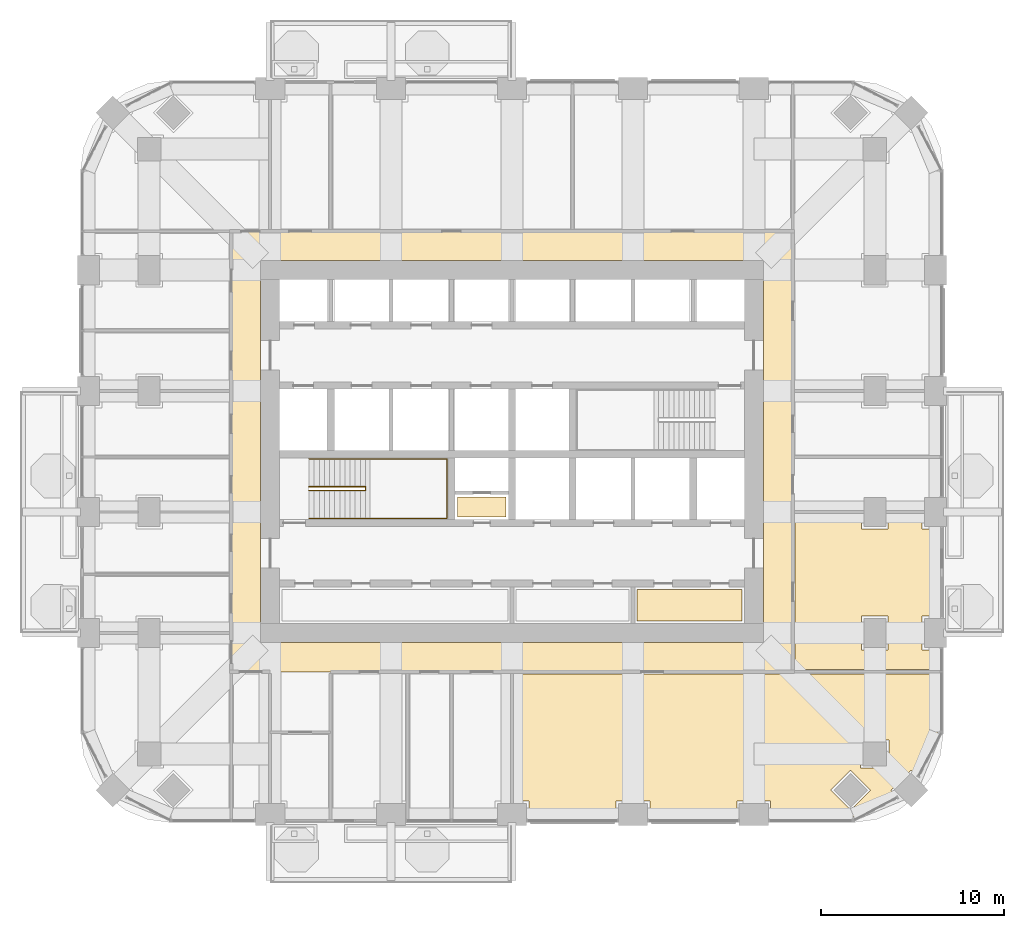
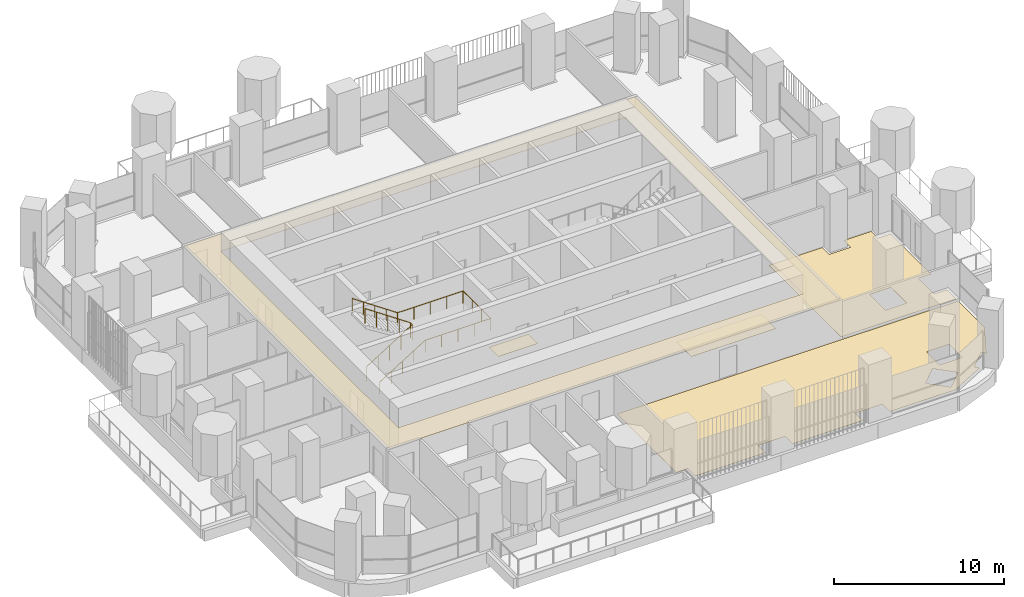
# One storey, part 16 of 19: 5 coverings, 2 railings.
"""IFC4 building model written with IfcOpenShell, lengths in metres."""

from ifc_helpers import new_model, si_unit, direction, frame, origin, place, context, subcontext, project, spatial, polyline, outline, extrude, material, layer, layer_set, type_object, element, save


model = new_model("IFC4")

# Units and contexts
model_context = context("Model", 3, precision=1e-05, world=origin(), true_north=direction((0.0, 1.0)))
body_context = subcontext(model_context, "Body", "Model", "MODEL_VIEW")
ifc_project = project(units=[si_unit("LENGTHUNIT", "METRE"), si_unit("AREAUNIT", "SQUARE_METRE"), si_unit("VOLUMEUNIT", "CUBIC_METRE"), si_unit("PLANEANGLEUNIT", "RADIAN"), si_unit("MASSUNIT", "GRAM", prefix="KILO")], contexts=[model_context])

# Site, building, storey
site_placement = place(None, origin())
site = spatial("IfcSite", under=ifc_project, at=site_placement, CompositionType="ELEMENT")
building_placement = place(site_placement, origin())
building = spatial("IfcBuilding", under=site, at=building_placement, Name="Cobogo Forest Laboratory Tower", CompositionType="ELEMENT")
storey_placement = place(building_placement, frame((0.0, 0.0, 159.89990234375)))
storey = spatial("IfcBuildingStorey", under=building, at=storey_placement, Name="L36", CompositionType="ELEMENT", Elevation=159.89990234375)

# Coverings
ifc_material_1 = material(Name="Mineral fibre ceiling tile", Category="ceiling")
ifc_layer_1 = layer(ifc_material_1, 0.02001953125)
ifc_layer_set_1 = layer_set([ifc_layer_1], Name="CL1 suspended ceiling")
covering_type_1 = type_object("IfcCoveringType", Name="CL1 suspended ceiling", PredefinedType="CEILING", material=ifc_layer_set_1)
covering_1_placement = place(storey_placement, frame((0.0, 0.0, 2.800048828125)))
element("IfcCovering", 1, at=covering_1_placement, inside=storey, type_object=covering_type_1, Name="Corridor ceiling L36", PredefinedType="CEILING", context=body_context, shape_type="SweptSolid", body=[
    extrude(outline(polyline([(11.074951171875, 11.074951171875), (11.074951171875, 35.125), (41.72509765625, 35.125), (41.72509765625, 11.074951171875), (11.074951171875, 11.074951171875)]), holes=[polyline([(40.125, 33.52490234375), (12.675048828125, 33.52490234375), (12.675048828125, 12.675048828125), (40.125, 12.675048828125), (40.125, 33.52490234375)])]), origin(), (0.0, 0.0, 1.0), 0.02001953125),
])
ifc_material_2 = material(Name="Carpet tile on raised access floor", Category="flooring")
ifc_layer_2 = layer(ifc_material_2, 0.008056640625)
ifc_layer_set_2 = layer_set([ifc_layer_2], Name="CT1 carpet tile floor 8")
covering_type_2 = type_object("IfcCoveringType", Name="CT1 carpet tile floor 8", PredefinedType="FLOORING", material=ifc_layer_set_2)
covering_2_placement = place(storey_placement, origin())
element("IfcCovering", 2, at=covering_2_placement, inside=storey, type_object=covering_type_2, Name="Carpet floor L36-07", PredefinedType="FLOORING", context=body_context, shape_type="SweptSolid", body=[
    extrude(outline(polyline([(41.844970703125, 19.679931640625), (45.47998046875, 19.679931640625), (45.47998046875, 18.8798828125), (46.919921875, 18.8798828125), (46.919921875, 19.679931640625), (48.780029296875, 19.679931640625), (48.780029296875, 18.8798828125), (49.64990234375, 18.8798828125), (49.64990234375, 14.1201171875), (48.780029296875, 14.1201171875), (48.780029296875, 12.280029296875), (49.64990234375, 12.280029296875), (49.64990234375, 11.195068359375), (41.844970703125, 11.195068359375), (41.844970703125, 19.679931640625)]), holes=[polyline([(46.919921875, 12.280029296875), (46.919921875, 14.1201171875), (45.47998046875, 14.1201171875), (45.47998046875, 12.280029296875), (46.919921875, 12.280029296875)])]), origin(), (0.0, 0.0, 1.0), 0.008056640625),
])
covering_3_placement = place(storey_placement, origin())
element("IfcCovering", 3, at=covering_3_placement, inside=storey, type_object=covering_type_2, Name="Carpet floor L36-27", PredefinedType="FLOORING", context=body_context, shape_type="SweptSolid", body=[
    extrude(outline(polyline([(26.080078125, 19.52001953125), (23.419921875, 19.52001953125), (23.419921875, 20.6298828125), (26.080078125, 20.6298828125), (26.080078125, 19.52001953125)])), origin(), (0.0, 0.0, 1.0), 0.008056640625),
])

# Railings
ifc_material_3 = material(Name="Steel balustrade", Category="steel")
railing_type_1 = type_object("IfcRailingType", Name="GR stair guard 1100", PredefinedType="GUARDRAIL", material=ifc_material_3)
railing_1_placement = place(storey_placement, frame((15.324951171875, 20.969970703125, 0.175048828125)))
element("IfcRailing", 4, at=railing_1_placement, inside=storey, type_object=railing_type_1, Name="Stair guard ST1 L36", PredefinedType="GUARDRAIL", context=body_context, shape_type="SweptSolid", body=[
    extrude(outline(polyline([(0.022216796875, 0.00927734375), (0.00927734375, 0.022216796875), (-0.00927734375, 0.022216796875), (-0.022216796875, 0.00927734375), (-0.022216796875, -0.00927734375), (-0.00927734375, -0.022216796875), (0.00927734375, -0.022216796875), (0.022216796875, -0.00927734375), (0.022216796875, 0.00927734375)])), frame((0.0, 0.0, 1.077880859375), z_axis=(0.847998304005, 0.0, 0.529998940003), x_axis=(0.0, 1.0, 0.0)), (0.0, 0.0, 1.0), 3.632080078125),
    extrude(outline(polyline([(0.022216796875, 0.00927734375), (0.00927734375, 0.022216796875), (-0.00927734375, 0.022216796875), (-0.022216796875, 0.00927734375), (-0.022216796875, -0.00927734375), (-0.00927734375, -0.022216796875), (0.00927734375, -0.022216796875), (0.022216796875, -0.00927734375), (0.022216796875, 0.00927734375)])), frame((3.080078125, 0.0, 3.0029296875), z_axis=(0.0, 1.0, 0.0), x_axis=(-1.0, 0.0, 0.0)), (0.0, 0.0, 1.0), 0.2099609375),
    extrude(outline(polyline([(0.022216796875, 0.00927734375), (0.00927734375, 0.022216796875), (-0.00927734375, 0.022216796875), (-0.022216796875, 0.00927734375), (-0.022216796875, -0.00927734375), (-0.00927734375, -0.022216796875), (0.00927734375, -0.022216796875), (0.022216796875, -0.00927734375), (0.022216796875, 0.00927734375)])), frame((3.080078125, 0.2099609375, 3.0029296875), z_axis=(-0.826221800596, 0.0, 0.563344953133), x_axis=(0.0, -1.0, 0.0)), (0.0, 0.0, 1.0), 3.72802734375),
    extrude(outline(polyline([(0.019287109375, 0.008056640625), (0.008056640625, 0.019287109375), (-0.008056640625, 0.019287109375), (-0.019287109375, 0.008056640625), (-0.019287109375, -0.008056640625), (-0.008056640625, -0.019287109375), (0.008056640625, -0.019287109375), (0.019287109375, -0.008056640625), (0.019287109375, 0.008056640625)])), origin(), (0.0, 0.0, 1.0), 1.077880859375),
    extrude(outline(polyline([(0.019287109375, 0.008056640625), (0.008056640625, 0.019287109375), (-0.008056640625, 0.019287109375), (-0.019287109375, 0.008056640625), (-0.019287109375, -0.008056640625), (-0.008056640625, -0.019287109375), (0.008056640625, -0.019287109375), (0.019287109375, -0.008056640625), (0.019287109375, 0.008056640625)])), frame((0.77001953125, 0.0, 0.481201171875)), (0.0, 0.0, 1.0), 1.077880859375),
    extrude(outline(polyline([(0.019287109375, 0.008056640625), (0.008056640625, 0.019287109375), (-0.008056640625, 0.019287109375), (-0.019287109375, 0.008056640625), (-0.019287109375, -0.008056640625), (-0.008056640625, -0.019287109375), (0.008056640625, -0.019287109375), (0.019287109375, -0.008056640625), (0.019287109375, 0.008056640625)])), frame((1.5400390625, 0.0, 0.96240234375)), (0.0, 0.0, 1.0), 1.077880859375),
    extrude(outline(polyline([(0.019287109375, 0.008056640625), (0.008056640625, 0.019287109375), (-0.008056640625, 0.019287109375), (-0.019287109375, 0.008056640625), (-0.019287109375, -0.008056640625), (-0.008056640625, -0.019287109375), (0.008056640625, -0.019287109375), (0.019287109375, -0.008056640625), (0.019287109375, 0.008056640625)])), frame((2.31005859375, 0.0, 1.44384765625)), (0.0, 0.0, 1.0), 1.077880859375),
    extrude(outline(polyline([(0.019287109375, 0.008056640625), (0.008056640625, 0.019287109375), (-0.008056640625, 0.019287109375), (-0.019287109375, 0.008056640625), (-0.019287109375, -0.008056640625), (-0.008056640625, -0.019287109375), (0.008056640625, -0.019287109375), (0.019287109375, -0.008056640625), (0.019287109375, 0.008056640625)])), frame((3.080078125, 0.0, 1.925048828125)), (0.0, 0.0, 1.0), 1.077880859375),
    extrude(outline(polyline([(0.019287109375, 0.008056640625), (0.008056640625, 0.019287109375), (-0.008056640625, 0.019287109375), (-0.019287109375, 0.008056640625), (-0.019287109375, -0.008056640625), (-0.008056640625, -0.019287109375), (0.008056640625, -0.019287109375), (0.019287109375, -0.008056640625), (0.019287109375, 0.008056640625)])), frame((3.080078125, 0.2099609375, 1.925048828125)), (0.0, 0.0, 1.0), 1.077880859375),
    extrude(outline(polyline([(0.019287109375, 0.008056640625), (0.008056640625, 0.019287109375), (-0.008056640625, 0.019287109375), (-0.019287109375, 0.008056640625), (-0.019287109375, -0.008056640625), (-0.008056640625, -0.019287109375), (0.008056640625, -0.019287109375), (0.019287109375, -0.008056640625), (0.019287109375, 0.008056640625)])), frame((2.31005859375, 0.2099609375, 2.4501953125)), (0.0, 0.0, 1.0), 1.077880859375),
    extrude(outline(polyline([(0.019287109375, 0.008056640625), (0.008056640625, 0.019287109375), (-0.008056640625, 0.019287109375), (-0.019287109375, 0.008056640625), (-0.019287109375, -0.008056640625), (-0.008056640625, -0.019287109375), (0.008056640625, -0.019287109375), (0.019287109375, -0.008056640625), (0.019287109375, 0.008056640625)])), frame((1.5400390625, 0.2099609375, 2.97509765625)), (0.0, 0.0, 1.0), 1.077880859375),
    extrude(outline(polyline([(0.019287109375, 0.008056640625), (0.008056640625, 0.019287109375), (-0.008056640625, 0.019287109375), (-0.019287109375, 0.008056640625), (-0.019287109375, -0.008056640625), (-0.008056640625, -0.019287109375), (0.008056640625, -0.019287109375), (0.019287109375, -0.008056640625), (0.019287109375, 0.008056640625)])), frame((0.77001953125, 0.2099609375, 3.5)), (0.0, 0.0, 1.0), 1.077880859375),
    extrude(outline(polyline([(0.019287109375, 0.008056640625), (0.008056640625, 0.019287109375), (-0.008056640625, 0.019287109375), (-0.019287109375, 0.008056640625), (-0.019287109375, -0.008056640625), (-0.008056640625, -0.019287109375), (0.008056640625, -0.019287109375), (0.019287109375, -0.008056640625), (0.019287109375, 0.008056640625)])), frame((0.0, 0.2099609375, 4.025146484375)), (0.0, 0.0, 1.0), 1.077880859375),
])
ifc_material_4 = material(Name="Stainless steel handrail", Category="steel")
railing_type_2 = type_object("IfcRailingType", Name="HR handrail 900", PredefinedType="HANDRAIL", material=ifc_material_4)
railing_2_placement = place(storey_placement, frame((15.324951171875, 19.449951171875, 0.175048828125)))
element("IfcRailing", 5, at=railing_2_placement, inside=storey, type_object=railing_type_2, Name="Stair handrail ST1 L36", PredefinedType="HANDRAIL", context=body_context, shape_type="SweptSolid", body=[
    extrude(outline(polyline([(0.022216796875, 0.00927734375), (0.00927734375, 0.022216796875), (-0.00927734375, 0.022216796875), (-0.022216796875, 0.00927734375), (-0.022216796875, -0.00927734375), (-0.00927734375, -0.022216796875), (0.00927734375, -0.022216796875), (0.022216796875, -0.00927734375), (0.022216796875, 0.00927734375)])), frame((0.0, 0.0, 0.877685546875), z_axis=(0.847998304005, 0.0, 0.529998940003), x_axis=(0.0, 1.0, 0.0)), (0.0, 0.0, 1.0), 3.632080078125),
    extrude(outline(polyline([(0.022216796875, 0.00927734375), (0.00927734375, 0.022216796875), (-0.00927734375, 0.022216796875), (-0.022216796875, 0.00927734375), (-0.022216796875, -0.00927734375), (-0.00927734375, -0.022216796875), (0.00927734375, -0.022216796875), (0.022216796875, -0.00927734375), (0.022216796875, 0.00927734375)])), frame((3.080078125, 0.0, 2.802734375), z_axis=(1.0, 0.0, 0.0), x_axis=(0.0, 1.0, 0.0)), (0.0, 0.0, 1.0), 4.445068359375),
    extrude(outline(polyline([(0.022216796875, 0.00927734375), (0.00927734375, 0.022216796875), (-0.00927734375, 0.022216796875), (-0.022216796875, 0.00927734375), (-0.022216796875, -0.00927734375), (-0.00927734375, -0.022216796875), (0.00927734375, -0.022216796875), (0.022216796875, -0.00927734375), (0.022216796875, 0.00927734375)])), frame((7.525146484375, 0.0, 2.802734375), z_axis=(0.0, 1.0, 0.0), x_axis=(-1.0, 0.0, 0.0)), (0.0, 0.0, 1.0), 3.25),
    extrude(outline(polyline([(0.022216796875, 0.00927734375), (0.00927734375, 0.022216796875), (-0.00927734375, 0.022216796875), (-0.022216796875, 0.00927734375), (-0.022216796875, -0.00927734375), (-0.00927734375, -0.022216796875), (0.00927734375, -0.022216796875), (0.022216796875, -0.00927734375), (0.022216796875, 0.00927734375)])), frame((7.525146484375, 3.25, 2.802734375), z_axis=(-1.0, 0.0, 0.0), x_axis=(0.0, -1.0, 0.0)), (0.0, 0.0, 1.0), 4.445068359375),
    extrude(outline(polyline([(0.022216796875, 0.00927734375), (0.00927734375, 0.022216796875), (-0.00927734375, 0.022216796875), (-0.022216796875, 0.00927734375), (-0.022216796875, -0.00927734375), (-0.00927734375, -0.022216796875), (0.00927734375, -0.022216796875), (0.022216796875, -0.00927734375), (0.022216796875, 0.00927734375)])), frame((3.080078125, 3.25, 2.802734375), z_axis=(-0.826221800596, 0.0, 0.563344953133), x_axis=(0.0, -1.0, 0.0)), (0.0, 0.0, 1.0), 3.72802734375),
    extrude(outline(polyline([(0.019287109375, 0.008056640625), (0.008056640625, 0.019287109375), (-0.008056640625, 0.019287109375), (-0.019287109375, 0.008056640625), (-0.019287109375, -0.008056640625), (-0.008056640625, -0.019287109375), (0.008056640625, -0.019287109375), (0.019287109375, -0.008056640625), (0.019287109375, 0.008056640625)])), origin(), (0.0, 0.0, 1.0), 0.877685546875),
    extrude(outline(polyline([(0.019287109375, 0.008056640625), (0.008056640625, 0.019287109375), (-0.008056640625, 0.019287109375), (-0.019287109375, 0.008056640625), (-0.019287109375, -0.008056640625), (-0.008056640625, -0.019287109375), (0.008056640625, -0.019287109375), (0.019287109375, -0.008056640625), (0.019287109375, 0.008056640625)])), frame((0.77001953125, 0.0, 0.481201171875)), (0.0, 0.0, 1.0), 0.877685546875),
    extrude(outline(polyline([(0.019287109375, 0.008056640625), (0.008056640625, 0.019287109375), (-0.008056640625, 0.019287109375), (-0.019287109375, 0.008056640625), (-0.019287109375, -0.008056640625), (-0.008056640625, -0.019287109375), (0.008056640625, -0.019287109375), (0.019287109375, -0.008056640625), (0.019287109375, 0.008056640625)])), frame((1.5400390625, 0.0, 0.96240234375)), (0.0, 0.0, 1.0), 0.877685546875),
    extrude(outline(polyline([(0.019287109375, 0.008056640625), (0.008056640625, 0.019287109375), (-0.008056640625, 0.019287109375), (-0.019287109375, 0.008056640625), (-0.019287109375, -0.008056640625), (-0.008056640625, -0.019287109375), (0.008056640625, -0.019287109375), (0.019287109375, -0.008056640625), (0.019287109375, 0.008056640625)])), frame((2.31005859375, 0.0, 1.44384765625)), (0.0, 0.0, 1.0), 0.877685546875),
    extrude(outline(polyline([(0.019287109375, 0.008056640625), (0.008056640625, 0.019287109375), (-0.008056640625, 0.019287109375), (-0.019287109375, 0.008056640625), (-0.019287109375, -0.008056640625), (-0.008056640625, -0.019287109375), (0.008056640625, -0.019287109375), (0.019287109375, -0.008056640625), (0.019287109375, 0.008056640625)])), frame((3.080078125, 0.0, 1.925048828125)), (0.0, 0.0, 1.0), 0.877685546875),
    extrude(outline(polyline([(0.019287109375, 0.008056640625), (0.008056640625, 0.019287109375), (-0.008056640625, 0.019287109375), (-0.019287109375, 0.008056640625), (-0.019287109375, -0.008056640625), (-0.008056640625, -0.019287109375), (0.008056640625, -0.019287109375), (0.019287109375, -0.008056640625), (0.019287109375, 0.008056640625)])), frame((4.19140625, 0.0, 1.925048828125)), (0.0, 0.0, 1.0), 0.877685546875),
    extrude(outline(polyline([(0.019287109375, 0.008056640625), (0.008056640625, 0.019287109375), (-0.008056640625, 0.019287109375), (-0.019287109375, 0.008056640625), (-0.019287109375, -0.008056640625), (-0.008056640625, -0.019287109375), (0.008056640625, -0.019287109375), (0.019287109375, -0.008056640625), (0.019287109375, 0.008056640625)])), frame((5.302734375, 0.0, 1.925048828125)), (0.0, 0.0, 1.0), 0.877685546875),
    extrude(outline(polyline([(0.019287109375, 0.008056640625), (0.008056640625, 0.019287109375), (-0.008056640625, 0.019287109375), (-0.019287109375, 0.008056640625), (-0.019287109375, -0.008056640625), (-0.008056640625, -0.019287109375), (0.008056640625, -0.019287109375), (0.019287109375, -0.008056640625), (0.019287109375, 0.008056640625)])), frame((6.413818359375, 0.0, 1.925048828125)), (0.0, 0.0, 1.0), 0.877685546875),
    extrude(outline(polyline([(0.019287109375, 0.008056640625), (0.008056640625, 0.019287109375), (-0.008056640625, 0.019287109375), (-0.019287109375, 0.008056640625), (-0.019287109375, -0.008056640625), (-0.008056640625, -0.019287109375), (0.008056640625, -0.019287109375), (0.019287109375, -0.008056640625), (0.019287109375, 0.008056640625)])), frame((7.525146484375, 0.0, 1.925048828125)), (0.0, 0.0, 1.0), 0.877685546875),
    extrude(outline(polyline([(0.019287109375, 0.008056640625), (0.008056640625, 0.019287109375), (-0.008056640625, 0.019287109375), (-0.019287109375, 0.008056640625), (-0.019287109375, -0.008056640625), (-0.008056640625, -0.019287109375), (0.008056640625, -0.019287109375), (0.019287109375, -0.008056640625), (0.019287109375, 0.008056640625)])), frame((7.525146484375, 1.083251953125, 1.925048828125)), (0.0, 0.0, 1.0), 0.877685546875),
    extrude(outline(polyline([(0.019287109375, 0.008056640625), (0.008056640625, 0.019287109375), (-0.008056640625, 0.019287109375), (-0.019287109375, 0.008056640625), (-0.019287109375, -0.008056640625), (-0.008056640625, -0.019287109375), (0.008056640625, -0.019287109375), (0.019287109375, -0.008056640625), (0.019287109375, 0.008056640625)])), frame((7.525146484375, 2.166748046875, 1.925048828125)), (0.0, 0.0, 1.0), 0.877685546875),
    extrude(outline(polyline([(0.019287109375, 0.008056640625), (0.008056640625, 0.019287109375), (-0.008056640625, 0.019287109375), (-0.019287109375, 0.008056640625), (-0.019287109375, -0.008056640625), (-0.008056640625, -0.019287109375), (0.008056640625, -0.019287109375), (0.019287109375, -0.008056640625), (0.019287109375, 0.008056640625)])), frame((7.525146484375, 3.25, 1.925048828125)), (0.0, 0.0, 1.0), 0.877685546875),
    extrude(outline(polyline([(0.019287109375, 0.008056640625), (0.008056640625, 0.019287109375), (-0.008056640625, 0.019287109375), (-0.019287109375, 0.008056640625), (-0.019287109375, -0.008056640625), (-0.008056640625, -0.019287109375), (0.008056640625, -0.019287109375), (0.019287109375, -0.008056640625), (0.019287109375, 0.008056640625)])), frame((6.413818359375, 3.25, 1.925048828125)), (0.0, 0.0, 1.0), 0.877685546875),
    extrude(outline(polyline([(0.019287109375, 0.008056640625), (0.008056640625, 0.019287109375), (-0.008056640625, 0.019287109375), (-0.019287109375, 0.008056640625), (-0.019287109375, -0.008056640625), (-0.008056640625, -0.019287109375), (0.008056640625, -0.019287109375), (0.019287109375, -0.008056640625), (0.019287109375, 0.008056640625)])), frame((5.302734375, 3.25, 1.925048828125)), (0.0, 0.0, 1.0), 0.877685546875),
    extrude(outline(polyline([(0.019287109375, 0.008056640625), (0.008056640625, 0.019287109375), (-0.008056640625, 0.019287109375), (-0.019287109375, 0.008056640625), (-0.019287109375, -0.008056640625), (-0.008056640625, -0.019287109375), (0.008056640625, -0.019287109375), (0.019287109375, -0.008056640625), (0.019287109375, 0.008056640625)])), frame((4.19140625, 3.25, 1.925048828125)), (0.0, 0.0, 1.0), 0.877685546875),
    extrude(outline(polyline([(0.019287109375, 0.008056640625), (0.008056640625, 0.019287109375), (-0.008056640625, 0.019287109375), (-0.019287109375, 0.008056640625), (-0.019287109375, -0.008056640625), (-0.008056640625, -0.019287109375), (0.008056640625, -0.019287109375), (0.019287109375, -0.008056640625), (0.019287109375, 0.008056640625)])), frame((3.080078125, 3.25, 1.925048828125)), (0.0, 0.0, 1.0), 0.877685546875),
    extrude(outline(polyline([(0.019287109375, 0.008056640625), (0.008056640625, 0.019287109375), (-0.008056640625, 0.019287109375), (-0.019287109375, 0.008056640625), (-0.019287109375, -0.008056640625), (-0.008056640625, -0.019287109375), (0.008056640625, -0.019287109375), (0.019287109375, -0.008056640625), (0.019287109375, 0.008056640625)])), frame((2.31005859375, 3.25, 2.4501953125)), (0.0, 0.0, 1.0), 0.877685546875),
    extrude(outline(polyline([(0.019287109375, 0.008056640625), (0.008056640625, 0.019287109375), (-0.008056640625, 0.019287109375), (-0.019287109375, 0.008056640625), (-0.019287109375, -0.008056640625), (-0.008056640625, -0.019287109375), (0.008056640625, -0.019287109375), (0.019287109375, -0.008056640625), (0.019287109375, 0.008056640625)])), frame((1.5400390625, 3.25, 2.97509765625)), (0.0, 0.0, 1.0), 0.877685546875),
    extrude(outline(polyline([(0.019287109375, 0.008056640625), (0.008056640625, 0.019287109375), (-0.008056640625, 0.019287109375), (-0.019287109375, 0.008056640625), (-0.019287109375, -0.008056640625), (-0.008056640625, -0.019287109375), (0.008056640625, -0.019287109375), (0.019287109375, -0.008056640625), (0.019287109375, 0.008056640625)])), frame((0.77001953125, 3.25, 3.5)), (0.0, 0.0, 1.0), 0.877685546875),
    extrude(outline(polyline([(0.019287109375, 0.008056640625), (0.008056640625, 0.019287109375), (-0.008056640625, 0.019287109375), (-0.019287109375, 0.008056640625), (-0.019287109375, -0.008056640625), (-0.008056640625, -0.019287109375), (0.008056640625, -0.019287109375), (0.019287109375, -0.008056640625), (0.019287109375, 0.008056640625)])), frame((0.0, 3.25, 4.025146484375)), (0.0, 0.0, 1.0), 0.877685546875),
])

# Coverings
ifc_material_5 = material(Name="Static-dissipative vinyl flooring", Category="flooring")
ifc_layer_3 = layer(ifc_material_5, 0.0029296875)
ifc_layer_set_3 = layer_set([ifc_layer_3], Name="SD1 static-dissipative vinyl floor 3")
covering_type_3 = type_object("IfcCoveringType", Name="SD1 static-dissipative vinyl floor 3", PredefinedType="FLOORING", material=ifc_layer_set_3)
covering_4_placement = place(storey_placement, origin())
element("IfcCovering", 6, at=covering_4_placement, inside=storey, type_object=covering_type_3, Name="Static-dissipative floor L36-06", PredefinedType="FLOORING", context=body_context, shape_type="SweptSolid", body=[
    extrude(outline(polyline([(49.64990234375, 10.955078125), (49.64990234375, 7.84912109375), (48.408447265625, 5.480712890625), (48.181884765625, 5.70703125), (47.093017578125, 4.617919921875), (47.3193359375, 4.3916015625), (44.95068359375, 3.14990234375), (40.52001953125, 3.14990234375), (40.52001953125, 4.02001953125), (38.679931640625, 4.02001953125), (38.679931640625, 3.14990234375), (33.919921875, 3.14990234375), (33.919921875, 4.02001953125), (32.080078125, 4.02001953125), (32.080078125, 3.14990234375), (27.320068359375, 3.14990234375), (27.320068359375, 4.02001953125), (26.52001953125, 4.02001953125), (26.52001953125, 10.955078125), (49.64990234375, 10.955078125)]), holes=[polyline([(45.429931640625, 5.830078125), (46.969970703125, 5.830078125), (46.969970703125, 7.3701171875), (45.429931640625, 7.3701171875), (45.429931640625, 5.830078125)]), polyline([(44.882080078125, 3.529052734375), (45.970947265625, 4.617919921875), (44.882080078125, 5.70703125), (43.79296875, 4.617919921875), (44.882080078125, 3.529052734375)])]), origin(), (0.0, 0.0, 1.0), 0.003173828125),
])
ifc_material_6 = material(Name="Ceramic floor tile", Category="flooring")
ifc_layer_4 = layer(ifc_material_6, 0.010009765625)
ifc_layer_set_4 = layer_set([ifc_layer_4], Name="TF1 ceramic tile floor 10")
covering_type_4 = type_object("IfcCoveringType", Name="TF1 ceramic tile floor 10", PredefinedType="FLOORING", material=ifc_layer_set_4)
covering_5_placement = place(storey_placement, origin())
element("IfcCovering", 7, at=covering_5_placement, inside=storey, type_object=covering_type_4, Name="Tile floor L36-32", PredefinedType="FLOORING", context=body_context, shape_type="SweptSolid", body=[
    extrude(outline(polyline([(38.955078125, 13.844970703125), (33.219970703125, 13.844970703125), (33.219970703125, 15.580078125), (38.955078125, 15.580078125), (38.955078125, 13.844970703125)])), origin(), (0.0, 0.0, 1.0), 0.010009765625),
])

save(model, "model.ifc")
